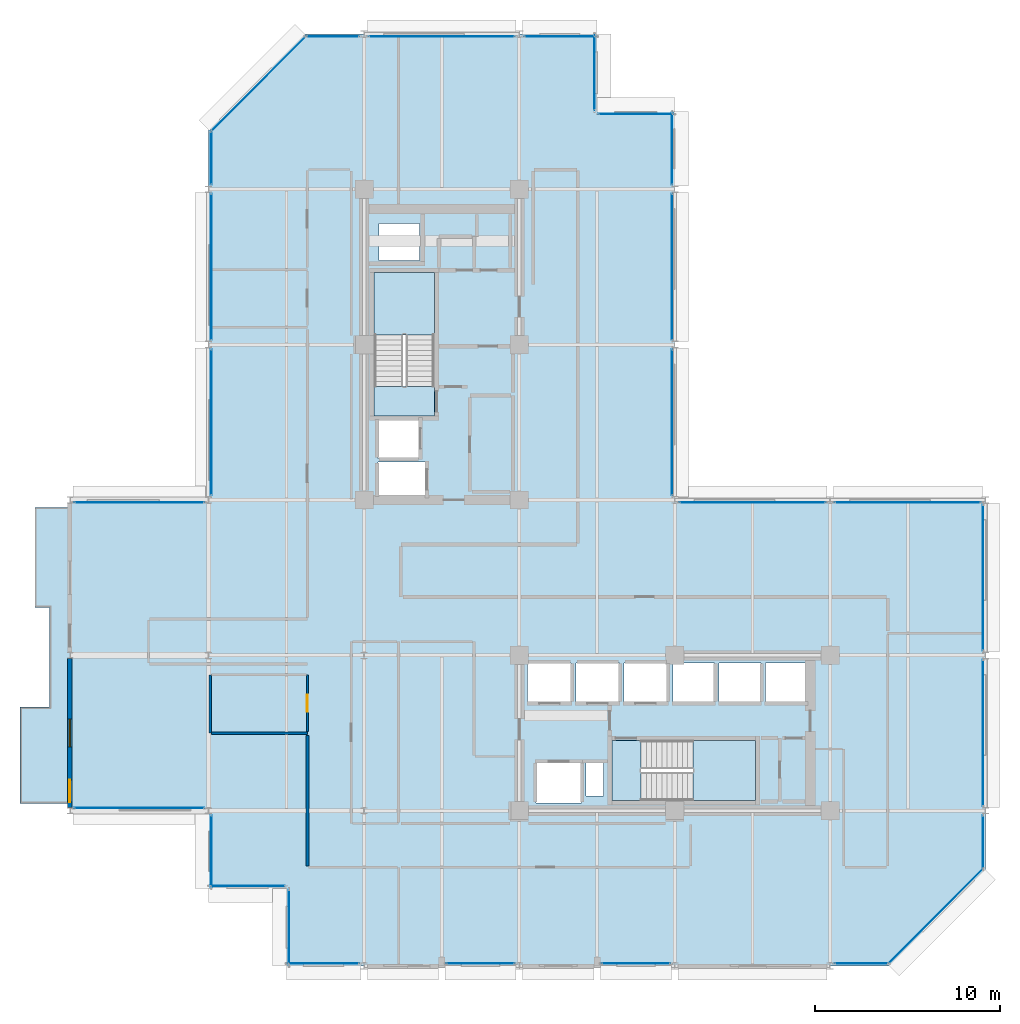
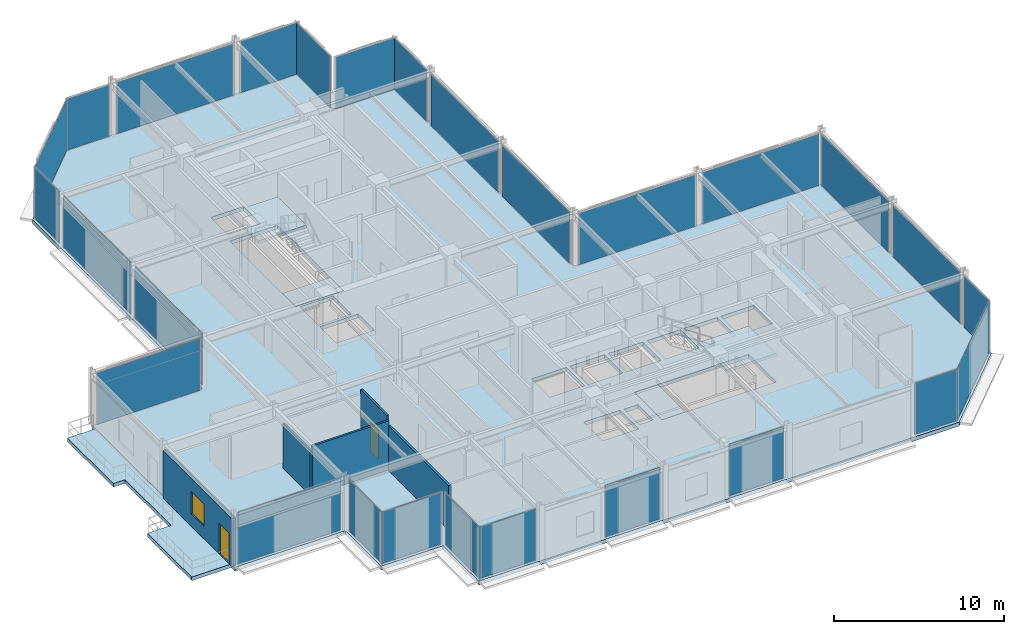
# One storey, part 23 of 29: 27 plates, 6 slabs, 5 walls, 2 doors, 1 window, 3 openings, 29 elements without a shape of their own.
"""IFC4 building model written with IfcOpenShell, lengths in metres."""

from ifc_helpers import new_model, si_unit, direction, frame, frame_2d, origin, origin_2d, place, context, subcontext, project, spatial, polyline, rectangle, outline, extrude, material, layer, layer_set, type_object, element, fill, aggregate, save


model = new_model("IFC4")

# Units and contexts
model_context = context("Model", 3, precision=1e-05, world=origin(), true_north=direction((0.0, 1.0)))
body_context = subcontext(model_context, "Body", "Model", "MODEL_VIEW")
ifc_project = project(units=[si_unit("LENGTHUNIT", "METRE"), si_unit("AREAUNIT", "SQUARE_METRE"), si_unit("VOLUMEUNIT", "CUBIC_METRE"), si_unit("PLANEANGLEUNIT", "RADIAN"), si_unit("MASSUNIT", "GRAM", prefix="KILO")], contexts=[model_context])

# Site, building, storey
site_placement = place(None, origin())
site = spatial("IfcSite", under=ifc_project, at=site_placement, CompositionType="ELEMENT")
building_placement = place(site_placement, origin())
building = spatial("IfcBuilding", under=site, at=building_placement, Name="Nerrivon Quay Data Exchange", CompositionType="ELEMENT")
storey_placement = place(building_placement, frame((0.0, 0.0, 179.60009765625)))
storey = spatial("IfcBuildingStorey", under=building, at=storey_placement, Name="L42", CompositionType="ELEMENT", Elevation=179.60009765625)

# Curtain wall, plate
ifc_material_1 = material(Name="Anodised aluminium 6063-T6", Category="aluminium")
ifc_layer_1 = layer(ifc_material_1, 0.199951171875)
ifc_layer_set_1 = layer_set([ifc_layer_1], Name="Anodised aluminium 6063-T6")
curtain_wall_type_1 = type_object("IfcCurtainWallType", Name="CW-SYS-04", PredefinedType="NOTDEFINED", material=ifc_layer_set_1)
curtain_wall_1_placement = place(storey_placement, origin())
curtain_wall_1 = element("IfcCurtainWall", 1, at=curtain_wall_1_placement, inside=storey, type_object=curtain_wall_type_1, Name="L42 Unitised Curtain Wall 3", PredefinedType="NOTDEFINED")
ifc_material_2 = material(Name="Double-glazed low-E solar control glass", Category="glass")
ifc_layer_2 = layer(ifc_material_2, 0.028076171875)
ifc_layer_set_2 = layer_set([ifc_layer_2], Name="Double-glazed low-E solar control glass")
plate_type = type_object("IfcPlateType", Name="CWP-GLZ-28", PredefinedType="CURTAIN_PANEL", material=ifc_layer_set_2)
plate_1_placement = place(storey_placement, frame((-3.759765625, 25.06005859375, 0.06494140625), z_axis=(0.0, 0.0, 1.0), x_axis=(1.0, 0.0, 0.0)))
plate_1 = element("IfcPlate", 2, at=plate_1_placement, type_object=plate_type, Name="CW04 panel 1.1", PredefinedType="CURTAIN_PANEL", context=body_context, shape_type="SweptSolid", body=[
    extrude(rectangle(XDim=7.01953125, YDim=0.028076171875, at=origin_2d()), origin(), (0.0, 0.0, 1.0), 3.695068359375),
])
aggregate(curtain_wall_1, [plate_1])

ifc_layer_3 = layer(ifc_material_1, 0.195068359375)
ifc_layer_set_3 = layer_set([ifc_layer_3], Name="Anodised aluminium 6063-T6")
curtain_wall_type_2 = type_object("IfcCurtainWallType", Name="CW-SYS-06", PredefinedType="NOTDEFINED", material=ifc_layer_set_3)
curtain_wall_2_placement = place(storey_placement, origin())
curtain_wall_2 = element("IfcCurtainWall", 3, at=curtain_wall_2_placement, inside=storey, type_object=curtain_wall_type_2, Name="L42 Unitised Curtain Wall 4", PredefinedType="NOTDEFINED")
plate_2_placement = place(storey_placement, frame((0.139892578125, 29.39990234375, 0.06494140625), z_axis=(0.0, 0.0, 1.0), x_axis=(0.0, 1.0, 0.0)))
plate_2 = element("IfcPlate", 4, at=plate_2_placement, type_object=plate_type, Name="CW06 panel 1.1", PredefinedType="CURTAIN_PANEL", context=body_context, shape_type="SweptSolid", body=[
    extrude(rectangle(XDim=7.89990234375, YDim=0.028076171875, at=origin_2d()), origin(), (0.0, 0.0, 1.0), 3.695068359375),
])
aggregate(curtain_wall_2, [plate_2])

curtain_wall_3_placement = place(storey_placement, origin())
curtain_wall_3 = element("IfcCurtainWall", 5, at=curtain_wall_3_placement, inside=storey, type_object=curtain_wall_type_2, Name="L42 Unitised Curtain Wall 5", PredefinedType="NOTDEFINED")
plate_3_placement = place(storey_placement, frame((0.139892578125, 37.800048828125, 0.06494140625), z_axis=(0.0, 0.0, 1.0), x_axis=(0.0, 1.0, 0.0)))
plate_3 = element("IfcPlate", 6, at=plate_3_placement, type_object=plate_type, Name="CW06 panel 1.1", PredefinedType="CURTAIN_PANEL", context=body_context, shape_type="SweptSolid", body=[
    extrude(rectangle(XDim=7.89990234375, YDim=0.028076171875, at=origin_2d()), origin(), (0.0, 0.0, 1.0), 3.695068359375),
])
aggregate(curtain_wall_3, [plate_3])

curtain_wall_4_placement = place(storey_placement, origin())
curtain_wall_4 = element("IfcCurtainWall", 7, at=curtain_wall_4_placement, inside=storey, type_object=curtain_wall_type_2, Name="L42 Unitised Curtain Wall 6", PredefinedType="NOTDEFINED")
plate_4_placement = place(storey_placement, frame((0.139892578125, 43.6875, 0.06494140625), z_axis=(0.0, 0.0, 1.0), x_axis=(0.0, 1.0, 0.0)))
plate_4 = element("IfcPlate", 8, at=plate_4_placement, type_object=plate_type, Name="CW06 panel 1.1", PredefinedType="CURTAIN_PANEL", context=body_context, shape_type="SweptSolid", body=[
    extrude(rectangle(XDim=2.875, YDim=0.028076171875, at=origin_2d()), origin(), (0.0, 0.0, 1.0), 3.695068359375),
])
aggregate(curtain_wall_4, [plate_4])

curtain_wall_5_placement = place(storey_placement, origin())
curtain_wall_5 = element("IfcCurtainWall", 9, at=curtain_wall_5_placement, inside=storey, type_object=curtain_wall_type_2, Name="L42 Unitised Curtain Wall 7", PredefinedType="NOTDEFINED")
plate_5_placement = place(storey_placement, frame((2.698974609375, 47.700927734375, 0.06494140625), z_axis=(0.0, 0.0, 1.0), x_axis=(0.707106781187, 0.707106781187, 0.0)))
plate_5 = element("IfcPlate", 10, at=plate_5_placement, type_object=plate_type, Name="CW06 panel 1.1", PredefinedType="CURTAIN_PANEL", context=body_context, shape_type="SweptSolid", body=[
    extrude(rectangle(XDim=7.203857421875, YDim=0.028076171875, at=origin_2d()), origin(), (0.0, 0.0, 1.0), 3.695068359375),
])
aggregate(curtain_wall_5, [plate_5])

curtain_wall_6_placement = place(storey_placement, origin())
curtain_wall_6 = element("IfcCurtainWall", 11, at=curtain_wall_6_placement, inside=storey, type_object=curtain_wall_type_2, Name="L42 Unitised Curtain Wall 8", PredefinedType="NOTDEFINED")
plate_6_placement = place(storey_placement, frame((6.71240234375, 50.260009765625, 0.06494140625), z_axis=(0.0, 0.0, 1.0), x_axis=(1.0, 0.0, 0.0)))
plate_6 = element("IfcPlate", 12, at=plate_6_placement, type_object=plate_type, Name="CW06 panel 1.1", PredefinedType="CURTAIN_PANEL", context=body_context, shape_type="SweptSolid", body=[
    extrude(rectangle(XDim=2.875, YDim=0.028076171875, at=origin_2d()), origin(), (0.0, 0.0, 1.0), 3.695068359375),
])
aggregate(curtain_wall_6, [plate_6])

curtain_wall_7_placement = place(storey_placement, origin())
curtain_wall_7 = element("IfcCurtainWall", 13, at=curtain_wall_7_placement, inside=storey, type_object=curtain_wall_type_2, Name="L42 Unitised Curtain Wall 9", PredefinedType="NOTDEFINED")
plate_7_placement = place(storey_placement, frame((12.60009765625, 50.260009765625, 0.06494140625), z_axis=(0.0, 0.0, 1.0), x_axis=(1.0, 0.0, 0.0)))
plate_7 = element("IfcPlate", 14, at=plate_7_placement, type_object=plate_type, Name="CW06 panel 1.1", PredefinedType="CURTAIN_PANEL", context=body_context, shape_type="SweptSolid", body=[
    extrude(rectangle(XDim=7.89990234375, YDim=0.028076171875, at=origin_2d()), origin(), (0.0, 0.0, 1.0), 3.695068359375),
])
aggregate(curtain_wall_7, [plate_7])

curtain_wall_8_placement = place(storey_placement, origin())
curtain_wall_8 = element("IfcCurtainWall", 15, at=curtain_wall_8_placement, inside=storey, type_object=curtain_wall_type_2, Name="L42 Unitised Curtain Wall 10", PredefinedType="NOTDEFINED")
plate_8_placement = place(storey_placement, frame((18.987548828125, 50.260009765625, 0.06494140625), z_axis=(0.0, 0.0, 1.0), x_axis=(1.0, 0.0, 0.0)))
plate_8 = element("IfcPlate", 16, at=plate_8_placement, type_object=plate_type, Name="CW06 panel 1.1", PredefinedType="CURTAIN_PANEL", context=body_context, shape_type="SweptSolid", body=[
    extrude(rectangle(XDim=3.875, YDim=0.028076171875, at=origin_2d()), origin(), (0.0, 0.0, 1.0), 3.695068359375),
])
aggregate(curtain_wall_8, [plate_8])

curtain_wall_9_placement = place(storey_placement, origin())
curtain_wall_9 = element("IfcCurtainWall", 17, at=curtain_wall_9_placement, inside=storey, type_object=curtain_wall_type_2, Name="L42 Unitised Curtain Wall 11", PredefinedType="NOTDEFINED")
plate_9_placement = place(storey_placement, frame((20.860107421875, 48.300048828125, 0.06494140625), z_axis=(0.0, 0.0, 1.0), x_axis=(0.0, -1.0, 0.0)))
plate_9 = element("IfcPlate", 18, at=plate_9_placement, type_object=plate_type, Name="CW06 panel 1.1", PredefinedType="CURTAIN_PANEL", context=body_context, shape_type="SweptSolid", body=[
    extrude(rectangle(XDim=4.050048828125, YDim=0.028076171875, at=origin_2d()), origin(), (0.0, 0.0, 1.0), 3.695068359375),
])
aggregate(curtain_wall_9, [plate_9])

curtain_wall_10_placement = place(storey_placement, origin())
curtain_wall_10 = element("IfcCurtainWall", 19, at=curtain_wall_10_placement, inside=storey, type_object=curtain_wall_type_2, Name="L42 Unitised Curtain Wall 12", PredefinedType="NOTDEFINED")
plate_10_placement = place(storey_placement, frame((23.10009765625, 46.06005859375, 0.06494140625), z_axis=(0.0, 0.0, 1.0), x_axis=(1.0, 0.0, 0.0)))
plate_10 = element("IfcPlate", 20, at=plate_10_placement, type_object=plate_type, Name="CW06 panel 1.1", PredefinedType="CURTAIN_PANEL", context=body_context, shape_type="SweptSolid", body=[
    extrude(rectangle(XDim=4.050048828125, YDim=0.028076171875, at=origin_2d()), origin(), (0.0, 0.0, 1.0), 3.695068359375),
])
aggregate(curtain_wall_10, [plate_10])

curtain_wall_11_placement = place(storey_placement, origin())
curtain_wall_11 = element("IfcCurtainWall", 21, at=curtain_wall_11_placement, inside=storey, type_object=curtain_wall_type_2, Name="L42 Unitised Curtain Wall 13", PredefinedType="NOTDEFINED")
plate_11_placement = place(storey_placement, frame((25.06005859375, 44.1875, 0.06494140625), z_axis=(0.0, 0.0, 1.0), x_axis=(0.0, -1.0, 0.0)))
plate_11 = element("IfcPlate", 22, at=plate_11_placement, type_object=plate_type, Name="CW06 panel 1.1", PredefinedType="CURTAIN_PANEL", context=body_context, shape_type="SweptSolid", body=[
    extrude(rectangle(XDim=3.875, YDim=0.028076171875, at=origin_2d()), origin(), (0.0, 0.0, 1.0), 3.695068359375),
])
aggregate(curtain_wall_11, [plate_11])

curtain_wall_12_placement = place(storey_placement, origin())
curtain_wall_12 = element("IfcCurtainWall", 23, at=curtain_wall_12_placement, inside=storey, type_object=curtain_wall_type_2, Name="L42 Unitised Curtain Wall 14", PredefinedType="NOTDEFINED")
plate_12_placement = place(storey_placement, frame((25.06005859375, 37.800048828125, 0.06494140625), z_axis=(0.0, 0.0, 1.0), x_axis=(0.0, -1.0, 0.0)))
plate_12 = element("IfcPlate", 24, at=plate_12_placement, type_object=plate_type, Name="CW06 panel 1.1", PredefinedType="CURTAIN_PANEL", context=body_context, shape_type="SweptSolid", body=[
    extrude(rectangle(XDim=7.89990234375, YDim=0.028076171875, at=origin_2d()), origin(), (0.0, 0.0, 1.0), 3.695068359375),
])
aggregate(curtain_wall_12, [plate_12])

curtain_wall_13_placement = place(storey_placement, origin())
curtain_wall_13 = element("IfcCurtainWall", 25, at=curtain_wall_13_placement, inside=storey, type_object=curtain_wall_type_2, Name="L42 Unitised Curtain Wall 15", PredefinedType="NOTDEFINED")
plate_13_placement = place(storey_placement, frame((25.06005859375, 29.39990234375, 0.06494140625), z_axis=(0.0, 0.0, 1.0), x_axis=(0.0, -1.0, 0.0)))
plate_13 = element("IfcPlate", 26, at=plate_13_placement, type_object=plate_type, Name="CW06 panel 1.1", PredefinedType="CURTAIN_PANEL", context=body_context, shape_type="SweptSolid", body=[
    extrude(rectangle(XDim=7.89990234375, YDim=0.028076171875, at=origin_2d()), origin(), (0.0, 0.0, 1.0), 3.695068359375),
])
aggregate(curtain_wall_13, [plate_13])

curtain_wall_14_placement = place(storey_placement, origin())
curtain_wall_14 = element("IfcCurtainWall", 27, at=curtain_wall_14_placement, inside=storey, type_object=curtain_wall_type_2, Name="L42 Unitised Curtain Wall 16", PredefinedType="NOTDEFINED")
plate_14_placement = place(storey_placement, frame((29.39990234375, 25.06005859375, 0.06494140625), z_axis=(0.0, 0.0, 1.0), x_axis=(1.0, 0.0, 0.0)))
plate_14 = element("IfcPlate", 28, at=plate_14_placement, type_object=plate_type, Name="CW06 panel 1.1", PredefinedType="CURTAIN_PANEL", context=body_context, shape_type="SweptSolid", body=[
    extrude(rectangle(XDim=7.89990234375, YDim=0.028076171875, at=origin_2d()), origin(), (0.0, 0.0, 1.0), 3.695068359375),
])
aggregate(curtain_wall_14, [plate_14])

curtain_wall_15_placement = place(storey_placement, origin())
curtain_wall_15 = element("IfcCurtainWall", 29, at=curtain_wall_15_placement, inside=storey, type_object=curtain_wall_type_2, Name="L42 Unitised Curtain Wall 17", PredefinedType="NOTDEFINED")
plate_15_placement = place(storey_placement, frame((37.800048828125, 25.06005859375, 0.06494140625), z_axis=(0.0, 0.0, 1.0), x_axis=(1.0, 0.0, 0.0)))
plate_15 = element("IfcPlate", 30, at=plate_15_placement, type_object=plate_type, Name="CW06 panel 1.1", PredefinedType="CURTAIN_PANEL", context=body_context, shape_type="SweptSolid", body=[
    extrude(rectangle(XDim=7.89990234375, YDim=0.028076171875, at=origin_2d()), origin(), (0.0, 0.0, 1.0), 3.695068359375),
])
aggregate(curtain_wall_15, [plate_15])

curtain_wall_16_placement = place(storey_placement, origin())
curtain_wall_16 = element("IfcCurtainWall", 31, at=curtain_wall_16_placement, inside=storey, type_object=curtain_wall_type_2, Name="L42 Unitised Curtain Wall 18", PredefinedType="NOTDEFINED")
plate_16_placement = place(storey_placement, frame((41.860107421875, 21.0, 0.06494140625), z_axis=(0.0, 0.0, 1.0), x_axis=(0.0, -1.0, 0.0)))
plate_16 = element("IfcPlate", 32, at=plate_16_placement, type_object=plate_type, Name="CW06 panel 1.1", PredefinedType="CURTAIN_PANEL", context=body_context, shape_type="SweptSolid", body=[
    extrude(rectangle(XDim=7.89990234375, YDim=0.028076171875, at=origin_2d()), origin(), (0.0, 0.0, 1.0), 3.695068359375),
])
aggregate(curtain_wall_16, [plate_16])

curtain_wall_17_placement = place(storey_placement, origin())
curtain_wall_17 = element("IfcCurtainWall", 33, at=curtain_wall_17_placement, inside=storey, type_object=curtain_wall_type_2, Name="L42 Unitised Curtain Wall 19", PredefinedType="NOTDEFINED")
plate_17_placement = place(storey_placement, frame((41.860107421875, 12.60009765625, 0.06494140625), z_axis=(0.0, 0.0, 1.0), x_axis=(0.0, -1.0, 0.0)))
plate_17 = element("IfcPlate", 34, at=plate_17_placement, type_object=plate_type, Name="CW06 panel 1.1", PredefinedType="CURTAIN_PANEL", context=body_context, shape_type="SweptSolid", body=[
    extrude(rectangle(XDim=7.89990234375, YDim=0.028076171875, at=origin_2d()), origin(), (0.0, 0.0, 1.0), 3.695068359375),
])
aggregate(curtain_wall_17, [plate_17])

curtain_wall_18_placement = place(storey_placement, origin())
curtain_wall_18 = element("IfcCurtainWall", 35, at=curtain_wall_18_placement, inside=storey, type_object=curtain_wall_type_2, Name="L42 Unitised Curtain Wall 20", PredefinedType="NOTDEFINED")
plate_18_placement = place(storey_placement, frame((41.860107421875, 6.71240234375, 0.06494140625), z_axis=(0.0, 0.0, 1.0), x_axis=(0.0, -1.0, 0.0)))
plate_18 = element("IfcPlate", 36, at=plate_18_placement, type_object=plate_type, Name="CW06 panel 1.1", PredefinedType="CURTAIN_PANEL", context=body_context, shape_type="SweptSolid", body=[
    extrude(rectangle(XDim=2.875, YDim=0.028076171875, at=origin_2d()), origin(), (0.0, 0.0, 1.0), 3.695068359375),
])
aggregate(curtain_wall_18, [plate_18])

curtain_wall_19_placement = place(storey_placement, origin())
curtain_wall_19 = element("IfcCurtainWall", 37, at=curtain_wall_19_placement, inside=storey, type_object=curtain_wall_type_2, Name="L42 Unitised Curtain Wall 21", PredefinedType="NOTDEFINED")
plate_19_placement = place(storey_placement, frame((39.301025390625, 2.698974609375, 0.06494140625), z_axis=(0.0, 0.0, 1.0), x_axis=(-0.707106781187, -0.707106781187, 0.0)))
plate_19 = element("IfcPlate", 38, at=plate_19_placement, type_object=plate_type, Name="CW06 panel 1.1", PredefinedType="CURTAIN_PANEL", context=body_context, shape_type="SweptSolid", body=[
    extrude(rectangle(XDim=7.203857421875, YDim=0.028076171875, at=origin_2d()), origin(), (0.0, 0.0, 1.0), 3.695068359375),
])
aggregate(curtain_wall_19, [plate_19])

curtain_wall_20_placement = place(storey_placement, origin())
curtain_wall_20 = element("IfcCurtainWall", 39, at=curtain_wall_20_placement, inside=storey, type_object=curtain_wall_type_2, Name="L42 Unitised Curtain Wall 22", PredefinedType="NOTDEFINED")
plate_20_placement = place(storey_placement, frame((35.28759765625, 0.139892578125, 0.06494140625), z_axis=(0.0, 0.0, 1.0), x_axis=(-1.0, 0.0, 0.0)))
plate_20 = element("IfcPlate", 40, at=plate_20_placement, type_object=plate_type, Name="CW06 panel 1.1", PredefinedType="CURTAIN_PANEL", context=body_context, shape_type="SweptSolid", body=[
    extrude(rectangle(XDim=2.875, YDim=0.028076171875, at=origin_2d()), origin(), (0.0, 0.0, 1.0), 3.695068359375),
])
aggregate(curtain_wall_20, [plate_20])

curtain_wall_21_placement = place(storey_placement, origin())
curtain_wall_21 = element("IfcCurtainWall", 41, at=curtain_wall_21_placement, inside=storey, type_object=curtain_wall_type_2, Name="L42 Unitised Curtain Wall 24", PredefinedType="NOTDEFINED")
plate_21_placement = place(storey_placement, frame((23.10009765625, 0.139892578125, 0.06494140625), z_axis=(0.0, 0.0, 1.0), x_axis=(-1.0, 0.0, 0.0)))
plate_21 = element("IfcPlate", 42, at=plate_21_placement, type_object=plate_type, Name="CW06 panel 1.1", PredefinedType="CURTAIN_PANEL", context=body_context, shape_type="SweptSolid", body=[
    extrude(rectangle(XDim=3.699951171875, YDim=0.028076171875, at=origin_2d()), origin(), (0.0, 0.0, 1.0), 3.695068359375),
])
aggregate(curtain_wall_21, [plate_21])

curtain_wall_22_placement = place(storey_placement, origin())
curtain_wall_22 = element("IfcCurtainWall", 43, at=curtain_wall_22_placement, inside=storey, type_object=curtain_wall_type_2, Name="L42 Unitised Curtain Wall 26", PredefinedType="NOTDEFINED")
plate_22_placement = place(storey_placement, frame((14.699951171875, 0.139892578125, 0.06494140625), z_axis=(0.0, 0.0, 1.0), x_axis=(-1.0, 0.0, 0.0)))
plate_22 = element("IfcPlate", 44, at=plate_22_placement, type_object=plate_type, Name="CW06 panel 1.1", PredefinedType="CURTAIN_PANEL", context=body_context, shape_type="SweptSolid", body=[
    extrude(rectangle(XDim=3.699951171875, YDim=0.028076171875, at=origin_2d()), origin(), (0.0, 0.0, 1.0), 3.695068359375),
])
aggregate(curtain_wall_22, [plate_22])

curtain_wall_23_placement = place(storey_placement, origin())
curtain_wall_23 = element("IfcCurtainWall", 45, at=curtain_wall_23_placement, inside=storey, type_object=curtain_wall_type_2, Name="L42 Unitised Curtain Wall 28", PredefinedType="NOTDEFINED")
plate_23_placement = place(storey_placement, frame((6.21240234375, 0.139892578125, 0.06494140625), z_axis=(0.0, 0.0, 1.0), x_axis=(-1.0, 0.0, 0.0)))
plate_23 = element("IfcPlate", 46, at=plate_23_placement, type_object=plate_type, Name="CW06 panel 1.1", PredefinedType="CURTAIN_PANEL", context=body_context, shape_type="SweptSolid", body=[
    extrude(rectangle(XDim=3.875, YDim=0.028076171875, at=origin_2d()), origin(), (0.0, 0.0, 1.0), 3.695068359375),
])
aggregate(curtain_wall_23, [plate_23])

curtain_wall_24_placement = place(storey_placement, origin())
curtain_wall_24 = element("IfcCurtainWall", 47, at=curtain_wall_24_placement, inside=storey, type_object=curtain_wall_type_2, Name="L42 Unitised Curtain Wall 29", PredefinedType="NOTDEFINED")
plate_24_placement = place(storey_placement, frame((4.340087890625, 2.10009765625, 0.06494140625), z_axis=(0.0, 0.0, 1.0), x_axis=(0.0, 1.0, 0.0)))
plate_24 = element("IfcPlate", 48, at=plate_24_placement, type_object=plate_type, Name="CW06 panel 1.1", PredefinedType="CURTAIN_PANEL", context=body_context, shape_type="SweptSolid", body=[
    extrude(rectangle(XDim=4.050048828125, YDim=0.028076171875, at=origin_2d()), origin(), (0.0, 0.0, 1.0), 3.695068359375),
])
aggregate(curtain_wall_24, [plate_24])

curtain_wall_25_placement = place(storey_placement, origin())
curtain_wall_25 = element("IfcCurtainWall", 49, at=curtain_wall_25_placement, inside=storey, type_object=curtain_wall_type_2, Name="L42 Unitised Curtain Wall 30", PredefinedType="NOTDEFINED")
plate_25_placement = place(storey_placement, frame((2.10009765625, 4.340087890625, 0.06494140625), z_axis=(0.0, 0.0, 1.0), x_axis=(-1.0, 0.0, 0.0)))
plate_25 = element("IfcPlate", 50, at=plate_25_placement, type_object=plate_type, Name="CW06 panel 1.1", PredefinedType="CURTAIN_PANEL", context=body_context, shape_type="SweptSolid", body=[
    extrude(rectangle(XDim=4.050048828125, YDim=0.028076171875, at=origin_2d()), origin(), (0.0, 0.0, 1.0), 3.695068359375),
])
aggregate(curtain_wall_25, [plate_25])

curtain_wall_26_placement = place(storey_placement, origin())
curtain_wall_26 = element("IfcCurtainWall", 51, at=curtain_wall_26_placement, inside=storey, type_object=curtain_wall_type_2, Name="L42 Unitised Curtain Wall 31", PredefinedType="NOTDEFINED")
plate_26_placement = place(storey_placement, frame((0.139892578125, 6.21240234375, 0.06494140625), z_axis=(0.0, 0.0, 1.0), x_axis=(0.0, 1.0, 0.0)))
plate_26 = element("IfcPlate", 52, at=plate_26_placement, type_object=plate_type, Name="CW06 panel 1.1", PredefinedType="CURTAIN_PANEL", context=body_context, shape_type="SweptSolid", body=[
    extrude(rectangle(XDim=3.875, YDim=0.028076171875, at=origin_2d()), origin(), (0.0, 0.0, 1.0), 3.695068359375),
])
aggregate(curtain_wall_26, [plate_26])

curtain_wall_27_placement = place(storey_placement, origin())
curtain_wall_27 = element("IfcCurtainWall", 53, at=curtain_wall_27_placement, inside=storey, type_object=curtain_wall_type_1, Name="L42 Unitised Curtain Wall 32", PredefinedType="NOTDEFINED")
plate_27_placement = place(storey_placement, frame((-3.759765625, 8.5400390625, 0.06494140625), z_axis=(0.0, 0.0, 1.0), x_axis=(-1.0, 0.0, 0.0)))
plate_27 = element("IfcPlate", 54, at=plate_27_placement, type_object=plate_type, Name="CW04 panel 1.1", PredefinedType="CURTAIN_PANEL", context=body_context, shape_type="SweptSolid", body=[
    extrude(rectangle(XDim=7.01953125, YDim=0.028076171875, at=origin_2d()), origin(), (0.0, 0.0, 1.0), 3.695068359375),
])
aggregate(curtain_wall_27, [plate_27])

# Slab
ifc_material_3 = material(Name="Precast white architectural concrete N50 (50 MPa)", Category="concrete")
ifc_layer_4 = layer(ifc_material_3, 0.25)
ifc_layer_set_4 = layer_set([ifc_layer_4], Name="Precast white architectural concrete N50 (50 MPa)")
slab_type_1 = type_object("IfcSlabType", Name="SLB-BAL-250", PredefinedType="FLOOR", material=ifc_layer_set_4)
slab_1_placement = place(storey_placement, frame((0.0, 0.0, -0.25)))
element("IfcSlab", 55, at=slab_1_placement, inside=storey, type_object=slab_type_1, Name="L42 West Hooked Drifting Verandah", PredefinedType="FLOOR", context=body_context, shape_type="SweptSolid", body=[
    extrude(outline(polyline([(-7.5, 14.0), (-7.5, 19.39990234375), (-7.5, 24.800048828125), (-9.39990234375, 24.800048828125), (-9.39990234375, 19.39990234375), (-8.60009765625, 19.39990234375), (-8.60009765625, 14.0), (-10.199951171875, 14.0), (-10.199951171875, 8.800048828125), (-7.5, 8.800048828125), (-7.5, 14.0)])), origin(), (0.0, 0.0, 1.0), 0.25),
])

# Stair, slab
ifc_material_4 = material(Name="Concrete N50 (50 MPa)", Category="concrete")
stair_type = type_object("IfcStairType", Name="STAIR-DOG-41", PredefinedType="HALF_TURN_STAIR", material=ifc_material_4)
stair_1_placement = place(storey_placement, origin())
stair_1 = element("IfcStair", 56, at=stair_1_placement, inside=storey, type_object=stair_type, Name="L42 West Core Fire Stair ST01", PredefinedType="HALF_TURN_STAIR")
ifc_layer_5 = layer(ifc_material_4, 0.199951171875)
ifc_layer_set_5 = layer_set([ifc_layer_5], Name="Concrete N50 (50 MPa)")
slab_type_2 = type_object("IfcSlabType", Name="SLB-LAND-200", PredefinedType="LANDING", material=ifc_layer_set_5)
slab_2_placement = place(storey_placement, frame((0.0, 0.0, 1.849853515625)))
slab_2 = element("IfcSlab", 57, at=slab_2_placement, type_object=slab_type_2, Name="ST01 landing 1", PredefinedType="LANDING", context=body_context, shape_type="SweptSolid", body=[
    extrude(outline(polyline([(12.199951171875, 34.1298828125), (12.199951171875, 37.5), (8.949951171875, 37.5), (8.949951171875, 34.1298828125), (12.199951171875, 34.1298828125)])), origin(), (0.0, 0.0, 1.0), 0.199951171875),
])
aggregate(stair_1, [slab_2])

# Slab
slab_3_placement = place(storey_placement, frame((0.0, 0.0, -0.2001953125)))
element("IfcSlab", 58, at=slab_3_placement, inside=storey, type_object=slab_type_2, Name="L42 ST01 floor landing", PredefinedType="LANDING", context=body_context, shape_type="SweptSolid", body=[
    extrude(outline(polyline([(12.199951171875, 29.75), (12.199951171875, 31.330078125), (8.949951171875, 31.330078125), (8.949951171875, 29.75), (12.199951171875, 29.75)])), origin(), (0.0, 0.0, 1.0), 0.2001953125),
])

# Stair, slab
stair_2_placement = place(storey_placement, origin())
stair_2 = element("IfcStair", 59, at=stair_2_placement, inside=storey, type_object=stair_type, Name="L42 East Core Fire Stair ST02", PredefinedType="HALF_TURN_STAIR")
slab_4_placement = place(storey_placement, frame((0.0, 0.0, 1.849853515625)))
slab_4 = element("IfcSlab", 60, at=slab_4_placement, type_object=slab_type_2, Name="ST02 landing 1", PredefinedType="LANDING", context=body_context, shape_type="SweptSolid", body=[
    extrude(outline(polyline([(26.179931640625, 8.949951171875), (29.550048828125, 8.949951171875), (29.550048828125, 12.199951171875), (26.179931640625, 12.199951171875), (26.179931640625, 8.949951171875)])), origin(), (0.0, 0.0, 1.0), 0.199951171875),
])
aggregate(stair_2, [slab_4])

# Slabs
slab_5_placement = place(storey_placement, frame((0.0, 0.0, -0.2001953125)))
element("IfcSlab", 61, at=slab_5_placement, inside=storey, type_object=slab_type_2, Name="L42 ST02 floor landing", PredefinedType="LANDING", context=body_context, shape_type="SweptSolid", body=[
    extrude(outline(polyline([(21.800048828125, 8.949951171875), (23.3798828125, 8.949951171875), (23.3798828125, 12.199951171875), (21.800048828125, 12.199951171875), (21.800048828125, 8.949951171875)])), origin(), (0.0, 0.0, 1.0), 0.2001953125),
])
ifc_layer_6 = layer(ifc_material_4, 0.27490234375)
ifc_layer_set_6 = layer_set([ifc_layer_6], Name="Concrete N50 (50 MPa)")
slab_type_3 = type_object("IfcSlabType", Name="SLB-TOW-275", PredefinedType="FLOOR", material=ifc_layer_set_6)
slab_6_placement = place(storey_placement, frame((0.0, 0.0, -0.275146484375)))
element("IfcSlab", 62, at=slab_6_placement, inside=storey, type_object=slab_type_3, Name="L42 Primary Structural Slab", PredefinedType="FLOOR", context=body_context, shape_type="SweptSolid", body=[
    extrude(outline(polyline([(0.0, 8.39990234375), (0.0, 4.199951171875), (4.199951171875, 4.199951171875), (4.199951171875, 0.0), (36.800048828125, 0.0), (42.0, 5.199951171875), (42.0, 25.199951171875), (25.199951171875, 25.199951171875), (25.199951171875, 46.199951171875), (21.0, 46.199951171875), (21.0, 50.39990234375), (5.199951171875, 50.39990234375), (0.0, 45.199951171875), (0.0, 25.199951171875), (-7.5, 25.199951171875), (-7.5, 8.39990234375), (0.0, 8.39990234375)]), holes=[polyline([(8.949951171875, 29.75), (8.949951171875, 37.5), (12.199951171875, 37.5), (12.199951171875, 29.75), (8.949951171875, 29.75)]), polyline([(21.800048828125, 12.199951171875), (29.550048828125, 12.199951171875), (29.550048828125, 8.949951171875), (21.800048828125, 8.949951171875), (21.800048828125, 12.199951171875)]), polyline([(30.10009765625, 16.39990234375), (32.35009765625, 16.39990234375), (32.35009765625, 14.25), (30.10009765625, 14.25), (30.10009765625, 16.39990234375)]), polyline([(27.60009765625, 16.39990234375), (29.85009765625, 16.39990234375), (29.85009765625, 14.25), (27.60009765625, 14.25), (27.60009765625, 16.39990234375)]), polyline([(25.10009765625, 14.25), (25.10009765625, 16.39990234375), (27.35009765625, 16.39990234375), (27.35009765625, 14.25), (25.10009765625, 14.25)]), polyline([(22.449951171875, 16.39990234375), (24.800048828125, 16.39990234375), (24.800048828125, 14.25), (22.449951171875, 14.25), (22.449951171875, 16.39990234375)]), polyline([(19.85009765625, 16.39990234375), (22.199951171875, 16.39990234375), (22.199951171875, 14.25), (19.85009765625, 14.25), (19.85009765625, 16.39990234375)]), polyline([(20.39990234375, 9.199951171875), (20.39990234375, 11.0), (21.35009765625, 11.0), (21.35009765625, 9.199951171875), (20.39990234375, 9.199951171875)]), polyline([(17.699951171875, 8.830078125), (17.699951171875, 11.030029296875), (20.14990234375, 11.030029296875), (20.14990234375, 8.830078125), (17.699951171875, 8.830078125)]), polyline([(17.25, 14.25), (17.25, 16.39990234375), (19.60009765625, 16.39990234375), (19.60009765625, 14.25), (17.25, 14.25)]), polyline([(9.14990234375, 27.25), (11.75, 27.25), (11.75, 25.35009765625), (9.14990234375, 25.35009765625), (9.14990234375, 27.25)]), polyline([(9.14990234375, 29.60009765625), (11.39990234375, 29.60009765625), (11.39990234375, 27.449951171875), (9.14990234375, 27.449951171875), (9.14990234375, 29.60009765625)]), polyline([(9.199951171875, 38.14990234375), (9.199951171875, 40.14990234375), (11.39990234375, 40.14990234375), (11.39990234375, 38.14990234375), (9.199951171875, 38.14990234375)])]), origin(), (0.0, 0.0, 1.0), 0.275146484375),
])

# Wall, openings, door, window
ifc_material_5 = material(Name="Architectural terracotta precast concrete N50 (50 MPa)", Category="masonry")
ifc_layer_7 = layer(ifc_material_5, 0.239990234375)
ifc_layer_set_7 = layer_set([ifc_layer_7], Name="Architectural terracotta precast concrete N50 (50 MPa)")
wall_type_1 = type_object("IfcWallType", Name="EW-PREC-240", PredefinedType="STANDARD", material=ifc_layer_set_7)
wall_1_placement = place(storey_placement, frame((-7.5, 8.5634765625, 0.0), z_axis=(0.0, 0.0, 1.0), x_axis=(0.0, 1.0, 0.0)))
wall_1 = element("IfcWall", 63, at=wall_1_placement, inside=storey, type_object=wall_type_1, Name="L42 Terrace Host Wall 1", PredefinedType="STANDARD", context=body_context, shape_type="SweptSolid", body=[
    extrude(rectangle(XDim=8.072998046875, YDim=0.239990234375, at=frame_2d((4.03662109375, 0.0))), origin(), (0.0, 0.0, 1.0), 3.421875),
])
opening_1_placement = place(wall_1_placement, frame((0.300048828125, 0.0, 0.0)))
opening_1 = element("IfcOpeningElement", 64, at=opening_1_placement, cuts=wall_1, Name="Opening TD1", PredefinedType="OPENING", context=body_context, shape_type="SweptSolid", body=[
    extrude(rectangle(XDim=1.199951171875, YDim=2.199951171875, at=frame_2d((0.60009765625, 1.10009765625))), frame((0.0, 0.1298828125, 0.0), z_axis=(0.0, -1.0, 0.0), x_axis=(1.0, 0.0, 0.0)), (0.0, 0.0, 1.0), 0.260009765625),
])
opening_2_placement = place(wall_1_placement, frame((3.28662109375, 0.0, 0.89990234375)))
opening_2 = element("IfcOpeningElement", 65, at=opening_2_placement, cuts=wall_1, Name="Opening WN4", PredefinedType="OPENING", context=body_context, shape_type="SweptSolid", body=[
    extrude(rectangle(XDim=1.5, YDim=1.60009765625, at=frame_2d((0.75, 0.800048828125))), frame((0.0, 0.1298828125, 0.0), z_axis=(0.0, -1.0, 0.0), x_axis=(1.0, 0.0, 0.0)), (0.0, 0.0, 1.0), 0.260009765625),
])
door_type_1 = type_object("IfcDoorType", Name="DR-TERR-1200x2200", OperationType="NOTDEFINED", PredefinedType="DOOR", material=ifc_material_2)
door_1_placement = place(opening_1_placement, origin())
door_1 = element("IfcDoor", 66, at=door_1_placement, inside=storey, type_object=door_type_1, Name="L42 Outdoor Terrace Access Door 1", OperationType="SINGLE_SWING_RIGHT", OverallHeight=2.199951171875, OverallWidth=1.199951171875, PredefinedType="DOOR", context=body_context, shape_type="SweptSolid", body=[
    extrude(rectangle(XDim=1.199951171875, YDim=2.199951171875, at=frame_2d((0.60009765625, 1.10009765625))), frame((0.0, 0.02490234375, 0.0), z_axis=(0.0, -1.0, 0.0), x_axis=(1.0, 0.0, 0.0)), (0.0, 0.0, 1.0), 0.050048828125),
])
fill(opening_1, door_1)
window_type = type_object("IfcWindowType", Name="WIN-W4-1500x1600", PartitioningType="SINGLE_PANEL", PredefinedType="WINDOW", material=ifc_material_2)
window_placement = place(opening_2_placement, origin())
window = element("IfcWindow", 67, at=window_placement, inside=storey, type_object=window_type, Name="L42 Terrace Side Window 1", OverallHeight=1.60009765625, OverallWidth=1.5, PartitioningType="SINGLE_PANEL", PredefinedType="WINDOW", context=body_context, shape_type="SweptSolid", body=[
    extrude(rectangle(XDim=1.5, YDim=1.60009765625, at=frame_2d((0.75, 0.800048828125))), frame((0.0, 0.030029296875, 0.0), z_axis=(0.0, -1.0, 0.0), x_axis=(1.0, 0.0, 0.0)), (0.0, 0.0, 1.0), 0.06005859375),
])
fill(opening_2, window)

# Wall
ifc_material_6 = material(Name="Gypsum plasterboard on cold-formed framing", Category="gypsum")
ifc_layer_8 = layer(ifc_material_6, 0.1201171875)
ifc_layer_set_8 = layer_set([ifc_layer_8], Name="Gypsum plasterboard on cold-formed framing")
wall_type_2 = type_object("IfcWallType", Name="WALL-PT-120", PredefinedType="PARTITIONING", material=ifc_layer_set_8)
wall_2_placement = place(storey_placement, frame((0.080078125, 15.75, 0.0), z_axis=(0.0, 0.0, 1.0), x_axis=(0.0, -1.0, 0.0)))
element("IfcWall", 68, at=wall_2_placement, inside=storey, type_object=wall_type_2, Name="L42 Partition Accessible Toilet", PredefinedType="PARTITIONING", context=body_context, shape_type="SweptSolid", body=[
    extrude(rectangle(XDim=3.14990234375, YDim=0.1201171875, at=frame_2d((1.574951171875, 0.0))), origin(), (0.0, 0.0, 1.0), 3.222900390625),
])

# Wall, opening, door
wall_3_placement = place(storey_placement, frame((5.340087890625, 12.67138671875, 0.0), z_axis=(0.0, 0.0, 1.0), x_axis=(0.0, 1.0, 0.0)))
wall_3 = element("IfcWall", 69, at=wall_3_placement, inside=storey, type_object=wall_type_2, Name="L42 Partition Accessible Toilet", PredefinedType="PARTITIONING", context=body_context, shape_type="SweptSolid", body=[
    extrude(rectangle(XDim=3.07861328125, YDim=0.1201171875, at=frame_2d((1.539306640625, 0.0))), origin(), (0.0, 0.0, 1.0), 3.824951171875),
])
opening_3_placement = place(wall_3_placement, frame((1.079345703125, 0.0, 0.0)))
opening_3 = element("IfcOpeningElement", 70, at=opening_3_placement, cuts=wall_3, Name="Opening D-WC", PredefinedType="OPENING", context=body_context, shape_type="SweptSolid", body=[
    extrude(rectangle(XDim=0.919921875, YDim=2.10009765625, at=frame_2d((0.4599609375, 1.050048828125))), frame((0.0, 0.070068359375, 0.0), z_axis=(0.0, -1.0, 0.0), x_axis=(1.0, 0.0, 0.0)), (0.0, 0.0, 1.0), 0.14013671875),
])
ifc_material_7 = material(Name="Engineered hardwood timber", Category="wood")
door_type_2 = type_object("IfcDoorType", Name="DR-WC-920", OperationType="NOTDEFINED", PredefinedType="DOOR", material=ifc_material_7)
door_2_placement = place(opening_3_placement, origin())
door_2 = element("IfcDoor", 71, at=door_2_placement, inside=storey, type_object=door_type_2, Name="L42 Door Accessible Toilet", OperationType="SINGLE_SWING_RIGHT", OverallHeight=2.10009765625, OverallWidth=0.919921875, PredefinedType="DOOR", context=body_context, shape_type="SweptSolid", body=[
    extrude(rectangle(XDim=0.919921875, YDim=2.10009765625, at=frame_2d((0.4599609375, 1.050048828125))), frame((0.0, 0.02490234375, 0.0), z_axis=(0.0, -1.0, 0.0), x_axis=(1.0, 0.0, 0.0)), (0.0, 0.0, 1.0), 0.050048828125),
])
fill(opening_3, door_2)

# Walls
ifc_layer_9 = layer(ifc_material_6, 0.135009765625)
ifc_layer_set_9 = layer_set([ifc_layer_9], Name="Gypsum plasterboard on cold-formed framing")
wall_type_3 = type_object("IfcWallType", Name="WALL-PT-135", PredefinedType="PARTITIONING", material=ifc_layer_set_9)
wall_4_placement = place(storey_placement, frame((0.14404296875, 12.60009765625, 0.0), z_axis=(0.0, 0.0, 1.0), x_axis=(1.0, 0.0, 0.0)))
element("IfcWall", 72, at=wall_4_placement, inside=storey, type_object=wall_type_3, Name="L42 Partition Accessible Toilet", PredefinedType="PARTITIONING", context=body_context, shape_type="SweptSolid", body=[
    extrude(rectangle(XDim=5.196044921875, YDim=0.135009765625, at=frame_2d((2.59814453125, 0.0))), origin(), (0.0, 0.0, 1.0), 3.517822265625),
])
ifc_layer_10 = layer(ifc_material_6, 0.14990234375)
ifc_layer_set_10 = layer_set([ifc_layer_10], Name="Gypsum plasterboard on cold-formed framing")
wall_type_4 = type_object("IfcWallType", Name="WALL-PT-150", PredefinedType="PARTITIONING", material=ifc_layer_set_10)
wall_5_placement = place(storey_placement, frame((5.340087890625, 5.39990234375, 0.0), z_axis=(0.0, 0.0, 1.0), x_axis=(0.0, 1.0, 0.0)))
element("IfcWall", 73, at=wall_5_placement, inside=storey, type_object=wall_type_4, Name="L42 Partition Mail and Crew Room", PredefinedType="PARTITIONING", context=body_context, shape_type="SweptSolid", body=[
    extrude(rectangle(XDim=7.080078125, YDim=0.14990234375, at=frame_2d((3.5400390625, 0.0))), origin(), (0.0, 0.0, 1.0), 3.212890625),
])

save(model, "model.ifc")
